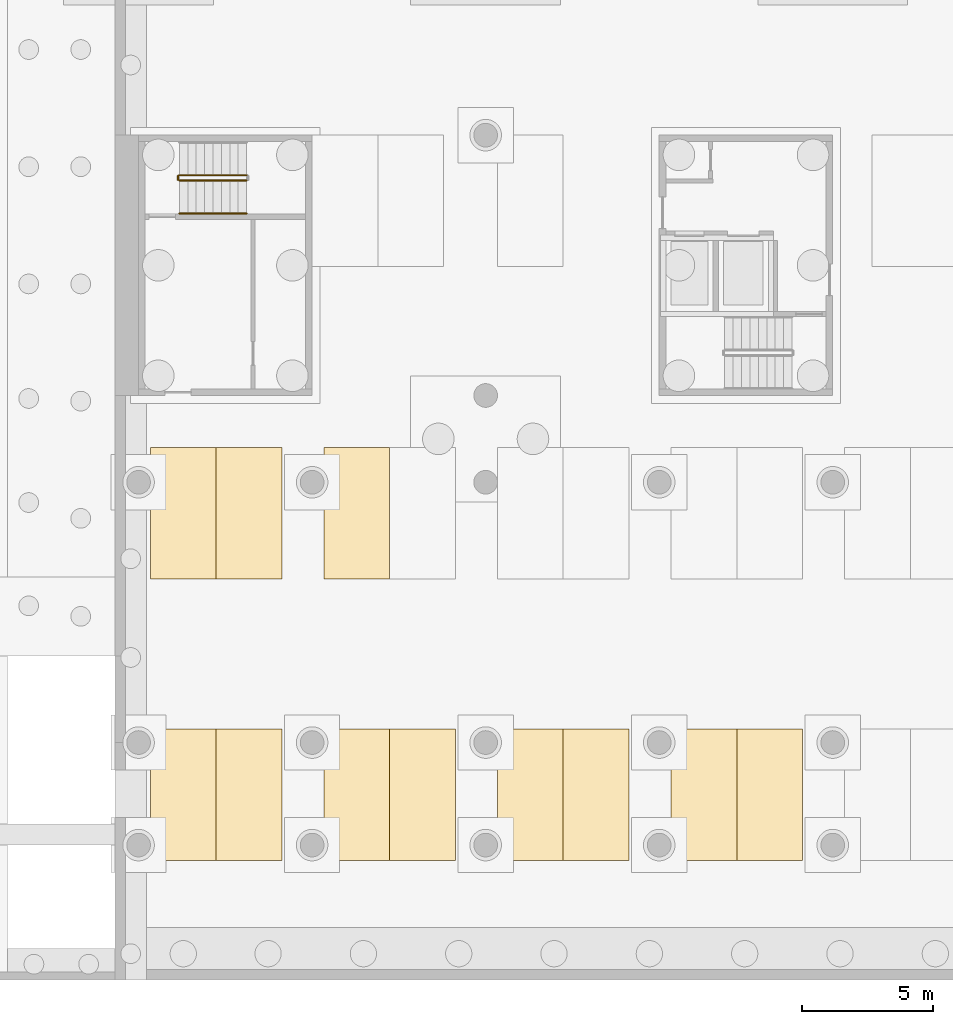
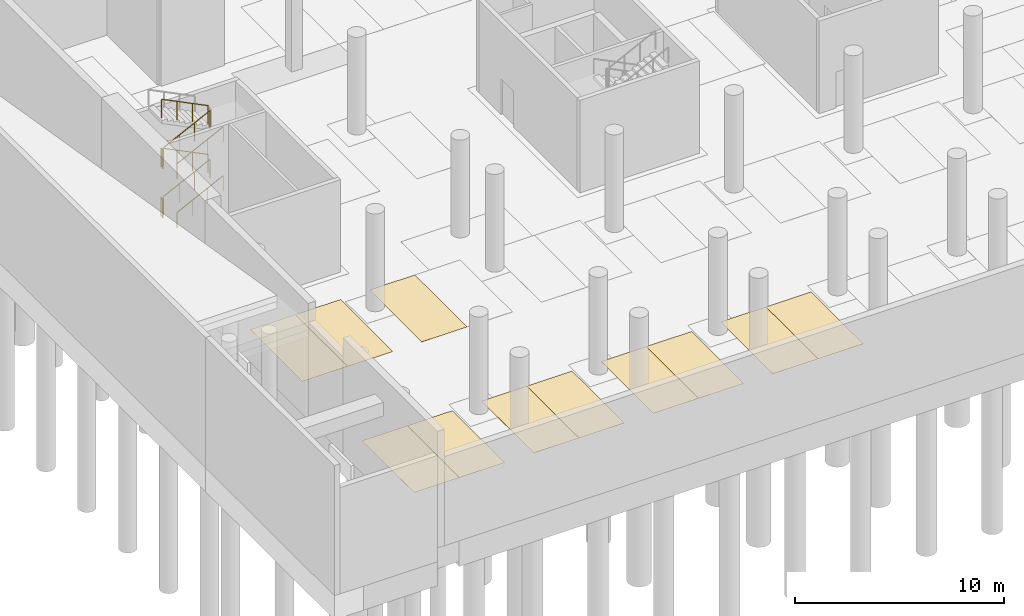
# One storey, part 22 of 38: 11 coverings, 8 railings.
"""IFC4 building model written with IfcOpenShell, lengths in metres."""

from ifc_helpers import new_model, si_unit, direction, frame, origin, origin_2d, place, context, subcontext, project, spatial, polyline, circle, outline, extrude, material, layer, layer_set, type_object, element, save


model = new_model("IFC4")

# Units and contexts
model_context = context("Model", 3, precision=1e-05, world=origin(), true_north=direction((0.0, 1.0)))
body_context = subcontext(model_context, "Body", "Model", "MODEL_VIEW")
ifc_project = project(units=[si_unit("LENGTHUNIT", "METRE"), si_unit("AREAUNIT", "SQUARE_METRE"), si_unit("VOLUMEUNIT", "CUBIC_METRE"), si_unit("PLANEANGLEUNIT", "RADIAN"), si_unit("MASSUNIT", "GRAM", prefix="KILO")], contexts=[model_context])

# Site, building, storey
site_placement = place(None, origin())
site = spatial("IfcSite", under=ifc_project, at=site_placement, CompositionType="ELEMENT")
building_placement = place(site_placement, origin())
building = spatial("IfcBuilding", under=site, at=building_placement, Name="Lantern Court Research Institute", CompositionType="ELEMENT")
storey_placement = place(building_placement, frame((0.0, 0.0, -5.699951171875)))
storey = spatial("IfcBuildingStorey", under=building, at=storey_placement, Name="B1", CompositionType="ELEMENT", Elevation=-5.699951171875)

# Coverings
ifc_material_1 = material(Name="Thermoplastic road marking paint")
ifc_layer = layer(ifc_material_1, 0.0029296875)
ifc_layer_set = layer_set([ifc_layer], Name="Thermoplastic road marking paint")
covering_type = type_object("IfcCoveringType", Name="Parking bay marking", PredefinedType="FLOORING", material=ifc_layer_set)
covering_1_placement = place(storey_placement, origin())
element("IfcCovering", 1, at=covering_1_placement, inside=storey, type_object=covering_type, Name="Parking bay marking 003", PredefinedType="FLOORING", context=body_context, shape_type="SweptSolid", body=[
    extrude(outline(polyline([(0.449951171875, -4.47998046875), (2.949951171875, -4.47998046875), (2.949951171875, 0.52001953125), (0.449951171875, 0.52001953125), (0.449951171875, -4.47998046875)])), origin(), (0.0, 0.0, 1.0), 0.0029296875),
])
covering_2_placement = place(storey_placement, origin())
element("IfcCovering", 2, at=covering_2_placement, inside=storey, type_object=covering_type, Name="Parking bay marking 004", PredefinedType="FLOORING", context=body_context, shape_type="SweptSolid", body=[
    extrude(outline(polyline([(2.949951171875, -4.47998046875), (5.449951171875, -4.47998046875), (5.449951171875, 0.52001953125), (2.949951171875, 0.52001953125), (2.949951171875, -4.47998046875)])), origin(), (0.0, 0.0, 1.0), 0.0029296875),
])
covering_3_placement = place(storey_placement, origin())
element("IfcCovering", 3, at=covering_3_placement, inside=storey, type_object=covering_type, Name="Parking bay marking 005", PredefinedType="FLOORING", context=body_context, shape_type="SweptSolid", body=[
    extrude(outline(polyline([(7.050048828125, -4.47998046875), (9.550048828125, -4.47998046875), (9.550048828125, 0.52001953125), (7.050048828125, 0.52001953125), (7.050048828125, -4.47998046875)])), origin(), (0.0, 0.0, 1.0), 0.0029296875),
])
covering_4_placement = place(storey_placement, origin())
element("IfcCovering", 4, at=covering_4_placement, inside=storey, type_object=covering_type, Name="Parking bay marking 006", PredefinedType="FLOORING", context=body_context, shape_type="SweptSolid", body=[
    extrude(outline(polyline([(9.550048828125, -4.47998046875), (12.050048828125, -4.47998046875), (12.050048828125, 0.52001953125), (9.550048828125, 0.52001953125), (9.550048828125, -4.47998046875)])), origin(), (0.0, 0.0, 1.0), 0.0029296875),
])
covering_5_placement = place(storey_placement, origin())
element("IfcCovering", 5, at=covering_5_placement, inside=storey, type_object=covering_type, Name="Parking bay marking 007", PredefinedType="FLOORING", context=body_context, shape_type="SweptSolid", body=[
    extrude(outline(polyline([(13.64990234375, -4.47998046875), (16.14990234375, -4.47998046875), (16.14990234375, 0.52001953125), (13.64990234375, 0.52001953125), (13.64990234375, -4.47998046875)])), origin(), (0.0, 0.0, 1.0), 0.0029296875),
])
covering_6_placement = place(storey_placement, origin())
element("IfcCovering", 6, at=covering_6_placement, inside=storey, type_object=covering_type, Name="Parking bay marking 008", PredefinedType="FLOORING", context=body_context, shape_type="SweptSolid", body=[
    extrude(outline(polyline([(16.14990234375, -4.47998046875), (18.64990234375, -4.47998046875), (18.64990234375, 0.52001953125), (16.14990234375, 0.52001953125), (16.14990234375, -4.47998046875)])), origin(), (0.0, 0.0, 1.0), 0.0029296875),
])
covering_7_placement = place(storey_placement, origin())
element("IfcCovering", 7, at=covering_7_placement, inside=storey, type_object=covering_type, Name="Parking bay marking 009", PredefinedType="FLOORING", context=body_context, shape_type="SweptSolid", body=[
    extrude(outline(polyline([(20.25, -4.47998046875), (22.75, -4.47998046875), (22.75, 0.52001953125), (20.25, 0.52001953125), (20.25, -4.47998046875)])), origin(), (0.0, 0.0, 1.0), 0.0029296875),
])
covering_8_placement = place(storey_placement, origin())
element("IfcCovering", 8, at=covering_8_placement, inside=storey, type_object=covering_type, Name="Parking bay marking 010", PredefinedType="FLOORING", context=body_context, shape_type="SweptSolid", body=[
    extrude(outline(polyline([(22.75, -4.47998046875), (25.25, -4.47998046875), (25.25, 0.52001953125), (22.75, 0.52001953125), (22.75, -4.47998046875)])), origin(), (0.0, 0.0, 1.0), 0.0029296875),
])
covering_9_placement = place(storey_placement, origin())
element("IfcCovering", 9, at=covering_9_placement, inside=storey, type_object=covering_type, Name="Parking bay marking 022", PredefinedType="FLOORING", context=body_context, shape_type="SweptSolid", body=[
    extrude(outline(polyline([(0.449951171875, 6.219970703125), (2.949951171875, 6.219970703125), (2.949951171875, 11.219970703125), (0.449951171875, 11.219970703125), (0.449951171875, 6.219970703125)])), origin(), (0.0, 0.0, 1.0), 0.0029296875),
])
covering_10_placement = place(storey_placement, origin())
element("IfcCovering", 10, at=covering_10_placement, inside=storey, type_object=covering_type, Name="Parking bay marking 023", PredefinedType="FLOORING", context=body_context, shape_type="SweptSolid", body=[
    extrude(outline(polyline([(2.949951171875, 6.219970703125), (5.449951171875, 6.219970703125), (5.449951171875, 11.219970703125), (2.949951171875, 11.219970703125), (2.949951171875, 6.219970703125)])), origin(), (0.0, 0.0, 1.0), 0.0029296875),
])
covering_11_placement = place(storey_placement, origin())
element("IfcCovering", 11, at=covering_11_placement, inside=storey, type_object=covering_type, Name="Parking bay marking 024", PredefinedType="FLOORING", context=body_context, shape_type="SweptSolid", body=[
    extrude(outline(polyline([(7.050048828125, 6.219970703125), (9.550048828125, 6.219970703125), (9.550048828125, 11.219970703125), (7.050048828125, 11.219970703125), (7.050048828125, 6.219970703125)])), origin(), (0.0, 0.0, 1.0), 0.0029296875),
])

# Railings
ifc_material_2 = material(Name="Structural steel S355", Category="steel")
railing_type_1 = type_object("IfcRailingType", Name="Stair guard 1100 steel", PredefinedType="GUARDRAIL", material=ifc_material_2)
railing_1_placement = place(storey_placement, frame((1.550048828125, 21.375, 0.158203125)))
element("IfcRailing", 12, at=railing_1_placement, inside=storey, type_object=railing_type_1, Name="B1 ST-B1 stair guard 1", PredefinedType="GUARDRAIL", context=body_context, shape_type="SweptSolid", body=[
    extrude(circle(Radius=0.02392578125, at=origin_2d()), frame((0.0, 0.0, 1.076171875), z_axis=(0.896265777717, 0.0, 0.443517367974), x_axis=(0.0, 1.0, 0.0)), (0.0, 0.0, 1.0), 2.8564453125),
    extrude(circle(Radius=0.02099609375, at=origin_2d()), origin(), (0.0, 0.0, 1.0), 1.052001953125),
    extrude(circle(Radius=0.02099609375, at=origin_2d()), frame((0.853271484375, 0.0, 0.42236328125)), (0.0, 0.0, 1.0), 1.052001953125),
    extrude(circle(Radius=0.02099609375, at=origin_2d()), frame((1.706787109375, 0.0, 0.844482421875)), (0.0, 0.0, 1.0), 1.052001953125),
    extrude(circle(Radius=0.02099609375, at=origin_2d()), frame((2.56005859375, 0.0, 1.266845703125)), (0.0, 0.0, 1.0), 1.052001953125),
])
railing_2_placement = place(storey_placement, frame((4.110107421875, 21.574951171875, 1.583251953125)))
element("IfcRailing", 13, at=railing_2_placement, inside=storey, type_object=railing_type_1, Name="B1 ST-B1 stair guard 3", PredefinedType="GUARDRAIL", context=body_context, shape_type="SweptSolid", body=[
    extrude(circle(Radius=0.02392578125, at=origin_2d()), frame((0.0, 0.0, 1.076171875), z_axis=(-0.896299752543, 0.0, 0.443448704577), x_axis=(0.0, -1.0, 0.0)), (0.0, 0.0, 1.0), 2.856201171875),
    extrude(circle(Radius=0.02099609375, at=origin_2d()), origin(), (0.0, 0.0, 1.0), 1.052001953125),
    extrude(circle(Radius=0.02099609375, at=origin_2d()), frame((-0.853271484375, 0.0, 0.422119140625)), (0.0, 0.0, 1.0), 1.052001953125),
    extrude(circle(Radius=0.02099609375, at=origin_2d()), frame((-1.706787109375, 0.0, 0.844482421875)), (0.0, 0.0, 1.0), 1.052001953125),
    extrude(circle(Radius=0.02099609375, at=origin_2d()), frame((-2.56005859375, 0.0, 1.2666015625)), (0.0, 0.0, 1.0), 1.052001953125),
])
railing_3_placement = place(storey_placement, frame((1.5, 21.39990234375, 2.849853515625)))
element("IfcRailing", 14, at=railing_3_placement, inside=storey, type_object=railing_type_1, Name="B1 ST-B1 stair guard 4", PredefinedType="GUARDRAIL", context=body_context, shape_type="SweptSolid", body=[
    extrude(circle(Radius=0.02392578125, at=origin_2d()), frame((0.0, 0.0, 1.076171875), z_axis=(0.0, 1.0, 0.0), x_axis=(-1.0, 0.0, 0.0)), (0.0, 0.0, 1.0), 0.150146484375),
    extrude(circle(Radius=0.02099609375, at=origin_2d()), origin(), (0.0, 0.0, 1.0), 1.052001953125),
    extrude(circle(Radius=0.02099609375, at=origin_2d()), frame((0.0, 0.150146484375, 0.0)), (0.0, 0.0, 1.0), 1.052001953125),
])
railing_4_placement = place(storey_placement, frame((1.550048828125, 21.375, 3.00830078125)))
element("IfcRailing", 15, at=railing_4_placement, inside=storey, type_object=railing_type_1, Name="B1 ST-B1 stair guard 5", PredefinedType="GUARDRAIL", context=body_context, shape_type="SweptSolid", body=[
    extrude(circle(Radius=0.02392578125, at=origin_2d()), frame((0.0, 0.0, 1.076171875), z_axis=(0.896299752543, 0.0, 0.443448704577), x_axis=(0.0, 1.0, 0.0)), (0.0, 0.0, 1.0), 2.856201171875),
    extrude(circle(Radius=0.02099609375, at=origin_2d()), origin(), (0.0, 0.0, 1.0), 1.052001953125),
    extrude(circle(Radius=0.02099609375, at=origin_2d()), frame((0.853271484375, 0.0, 0.422119140625)), (0.0, 0.0, 1.0), 1.052001953125),
    extrude(circle(Radius=0.02099609375, at=origin_2d()), frame((1.706787109375, 0.0, 0.844482421875)), (0.0, 0.0, 1.0), 1.052001953125),
    extrude(circle(Radius=0.02099609375, at=origin_2d()), frame((2.56005859375, 0.0, 1.2666015625)), (0.0, 0.0, 1.0), 1.052001953125),
])
railing_5_placement = place(storey_placement, frame((4.110107421875, 21.574951171875, 4.433349609375)))
element("IfcRailing", 16, at=railing_5_placement, inside=storey, type_object=railing_type_1, Name="B1 ST-B1 stair guard 7", PredefinedType="GUARDRAIL", context=body_context, shape_type="SweptSolid", body=[
    extrude(circle(Radius=0.02392578125, at=origin_2d()), frame((0.0, 0.0, 1.076171875), z_axis=(-0.896299752543, 0.0, 0.443448704577), x_axis=(0.0, -1.0, 0.0)), (0.0, 0.0, 1.0), 2.856201171875),
    extrude(circle(Radius=0.02099609375, at=origin_2d()), origin(), (0.0, 0.0, 1.0), 1.052001953125),
    extrude(circle(Radius=0.02099609375, at=origin_2d()), frame((-0.853271484375, 0.0, 0.422119140625)), (0.0, 0.0, 1.0), 1.052001953125),
    extrude(circle(Radius=0.02099609375, at=origin_2d()), frame((-1.706787109375, 0.0, 0.844482421875)), (0.0, 0.0, 1.0), 1.052001953125),
    extrude(circle(Radius=0.02099609375, at=origin_2d()), frame((-2.56005859375, 0.0, 1.2666015625)), (0.0, 0.0, 1.0), 1.052001953125),
])
railing_6_placement = place(storey_placement, frame((1.5, 21.39990234375, 0.0)))
element("IfcRailing", 17, at=railing_6_placement, inside=storey, type_object=railing_type_1, Name="B1 ST-B1 stair guard 8", PredefinedType="GUARDRAIL", context=body_context, shape_type="SweptSolid", body=[
    extrude(circle(Radius=0.02392578125, at=origin_2d()), frame((0.0, 0.0, 1.076171875), z_axis=(0.0, 1.0, 0.0), x_axis=(-1.0, 0.0, 0.0)), (0.0, 0.0, 1.0), 0.150146484375),
    extrude(circle(Radius=0.02099609375, at=origin_2d()), origin(), (0.0, 0.0, 1.0), 1.052001953125),
    extrude(circle(Radius=0.02099609375, at=origin_2d()), frame((0.0, 0.150146484375, 0.0)), (0.0, 0.0, 1.0), 1.052001953125),
])
ifc_material_3 = material(Name="Stainless steel 316", Category="steel")
railing_type_2 = type_object("IfcRailingType", Name="Stair handrail 900 steel", PredefinedType="HANDRAIL", material=ifc_material_3)
railing_7_placement = place(storey_placement, frame((1.550048828125, 20.125, 0.158203125)))
element("IfcRailing", 18, at=railing_7_placement, inside=storey, type_object=railing_type_2, Name="B1 ST-B1 stair handrail 1", PredefinedType="HANDRAIL", context=body_context, shape_type="SweptSolid", body=[
    extrude(circle(Radius=0.02392578125, at=origin_2d()), frame((0.0, 0.0, 0.8759765625), z_axis=(0.896265777717, 0.0, 0.443517367974), x_axis=(0.0, 1.0, 0.0)), (0.0, 0.0, 1.0), 2.8564453125),
    extrude(circle(Radius=0.02099609375, at=origin_2d()), origin(), (0.0, 0.0, 1.0), 0.851806640625),
    extrude(circle(Radius=0.02099609375, at=origin_2d()), frame((0.853271484375, 0.0, 0.42236328125)), (0.0, 0.0, 1.0), 0.851806640625),
    extrude(circle(Radius=0.02099609375, at=origin_2d()), frame((1.706787109375, 0.0, 0.844482421875)), (0.0, 0.0, 1.0), 0.851806640625),
    extrude(circle(Radius=0.02099609375, at=origin_2d()), frame((2.56005859375, 0.0, 1.266845703125)), (0.0, 0.0, 1.0), 0.851806640625),
])
railing_8_placement = place(storey_placement, frame((1.550048828125, 20.125, 3.00830078125)))
element("IfcRailing", 19, at=railing_8_placement, inside=storey, type_object=railing_type_2, Name="B1 ST-B1 stair handrail 3", PredefinedType="HANDRAIL", context=body_context, shape_type="SweptSolid", body=[
    extrude(circle(Radius=0.02392578125, at=origin_2d()), frame((0.0, 0.0, 0.8759765625), z_axis=(0.896299752543, 0.0, 0.443448704577), x_axis=(0.0, 1.0, 0.0)), (0.0, 0.0, 1.0), 2.856201171875),
    extrude(circle(Radius=0.02099609375, at=origin_2d()), origin(), (0.0, 0.0, 1.0), 0.851806640625),
    extrude(circle(Radius=0.02099609375, at=origin_2d()), frame((0.853271484375, 0.0, 0.422119140625)), (0.0, 0.0, 1.0), 0.851806640625),
    extrude(circle(Radius=0.02099609375, at=origin_2d()), frame((1.706787109375, 0.0, 0.844482421875)), (0.0, 0.0, 1.0), 0.851806640625),
    extrude(circle(Radius=0.02099609375, at=origin_2d()), frame((2.56005859375, 0.0, 1.2666015625)), (0.0, 0.0, 1.0), 0.851806640625),
])

save(model, "model.ifc")
